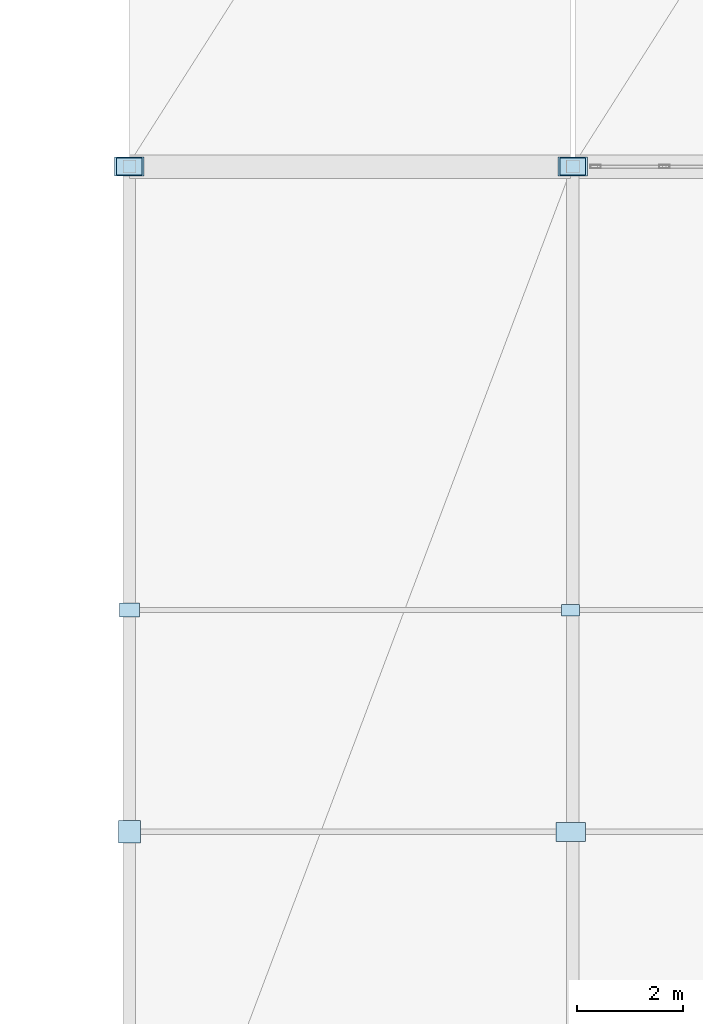
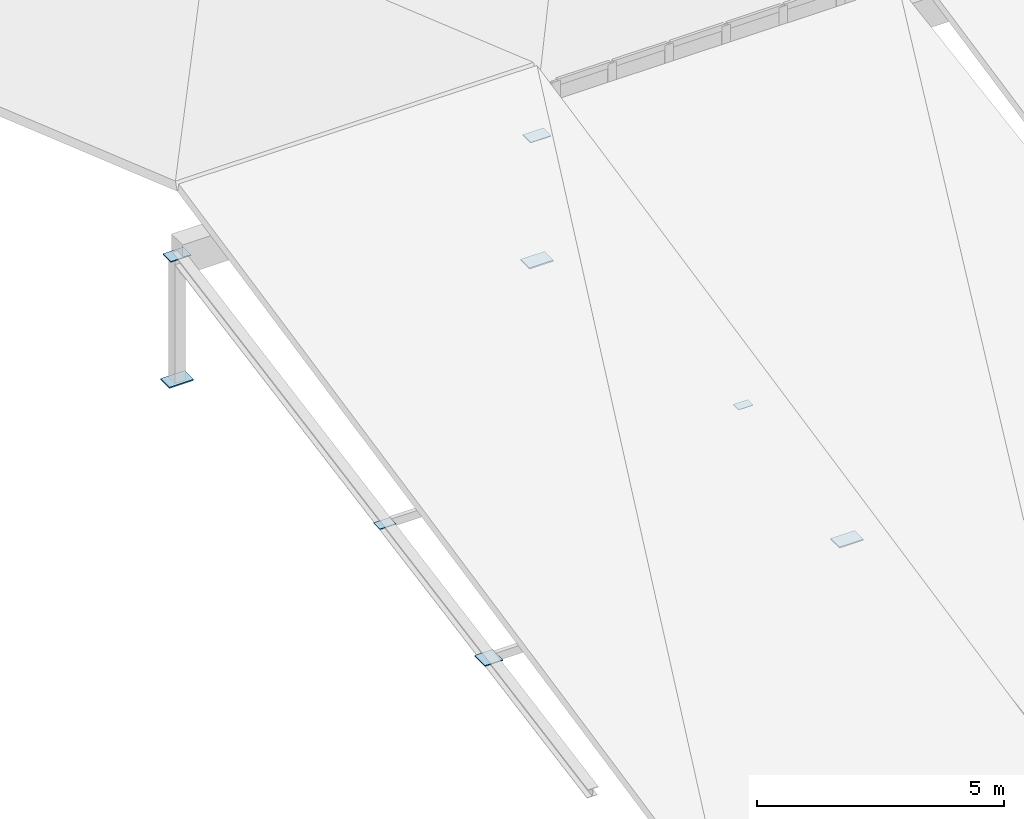
# One storey, part 63 of 76: 8 plates.
"""IFC4 building model written with IfcOpenShell, lengths in metres."""

from ifc_helpers import new_model, si_unit, direction, frame, origin, origin_2d, place, context, subcontext, project, spatial, rectangle, extrude, material, layer, layer_set, type_object, element, save


model = new_model("IFC4")

# Units and contexts
model_context = context("Model", 3, precision=1e-05, world=origin(), true_north=direction((0.0, 1.0)))
body_context = subcontext(model_context, "Body", "Model", "MODEL_VIEW")
ifc_project = project(units=[si_unit("LENGTHUNIT", "METRE"), si_unit("AREAUNIT", "SQUARE_METRE"), si_unit("VOLUMEUNIT", "CUBIC_METRE"), si_unit("PLANEANGLEUNIT", "RADIAN"), si_unit("MASSUNIT", "GRAM", prefix="KILO")], contexts=[model_context])

# Site, building, storey
site_placement = place(None, origin())
site = spatial("IfcSite", under=ifc_project, at=site_placement, CompositionType="ELEMENT")
building_placement = place(site_placement, origin())
building = spatial("IfcBuilding", under=site, at=building_placement, Name="Krzemoval Escarpment Law Courts", CompositionType="ELEMENT")
storey_placement = place(building_placement, frame((0.0, 0.0, 20.39990234375)))
storey = spatial("IfcBuildingStorey", under=building, at=storey_placement, Name="L04", CompositionType="ELEMENT", Elevation=20.39990234375)

# Plates
ifc_material_1 = material(Name="Steel S355", Category="steel")
ifc_layer_1 = layer(ifc_material_1, 0.02392578125)
ifc_layer_set_1 = layer_set([ifc_layer_1], Name="Steel S355")
plate_type_1 = type_object("IfcPlateType", Name="PLT-FLG-24", PredefinedType="USERDEFINED", material=ifc_layer_set_1)
plate_1_placement = place(storey_placement, frame((109.199951171875, 9.60009765625, 0.47802734375), z_axis=(0.0, 0.0, 1.0), x_axis=(1.0, 0.0, 0.0)))
element("IfcPlate", 1, at=plate_1_placement, inside=storey, type_object=plate_type_1, Name="Gusset and End-Cap Plate ECP-0128", ObjectType="FLANGE_PLATE", PredefinedType="USERDEFINED", context=body_context, shape_type="SweptSolid", body=[
    extrude(rectangle(XDim=0.419921875, YDim=0.419921875, at=origin_2d()), origin(), (0.0, 0.0, 1.0), 0.02392578125),
])
ifc_material_2 = material(Name="Steel S355", Category="steel")
ifc_layer_2 = layer(ifc_material_2, 0.011962890625)
ifc_layer_set_2 = layer_set([ifc_layer_2], Name="Steel S355")
plate_type_2 = type_object("IfcPlateType", Name="PLT-GUS-12", PredefinedType="USERDEFINED", material=ifc_layer_set_2)
plate_2_placement = place(storey_placement, frame((117.56005859375, 13.800048828125, 1.25390625), z_axis=(0.0, 0.0, 1.0), x_axis=(1.0, 0.0, 0.0)))
element("IfcPlate", 2, at=plate_2_placement, inside=storey, type_object=plate_type_2, Name="Gusset and End-Cap Plate ECP-0125", ObjectType="GUSSET_PLATE", PredefinedType="USERDEFINED", context=body_context, shape_type="SweptSolid", body=[
    extrude(rectangle(XDim=0.340087890625, YDim=0.219970703125, at=origin_2d()), origin(), (0.0, 0.0, 1.0), 0.011962890625),
])
ifc_material_3 = material(Name="Steel S355", Category="steel")
ifc_layer_3 = layer(ifc_material_3, 0.01611328125)
ifc_layer_set_3 = layer_set([ifc_layer_3], Name="Steel S355")
plate_type_3 = type_object("IfcPlateType", Name="PLT-GUS-16", PredefinedType="USERDEFINED", material=ifc_layer_set_3)
plate_3_placement = place(storey_placement, frame((109.199951171875, 13.800048828125, 1.251953125), z_axis=(0.0, 0.0, 1.0), x_axis=(1.0, 0.0, 0.0)))
element("IfcPlate", 3, at=plate_3_placement, inside=storey, type_object=plate_type_3, Name="Gusset and End-Cap Plate ECP-0124", ObjectType="GUSSET_PLATE", PredefinedType="USERDEFINED", context=body_context, shape_type="SweptSolid", body=[
    extrude(rectangle(XDim=0.3798828125, YDim=0.260009765625, at=origin_2d()), origin(), (0.0, 0.0, 1.0), 0.01611328125),
])
ifc_material_4 = material(Name="Steel S355", Category="steel")
ifc_layer_4 = layer(ifc_material_4, 0.02001953125)
ifc_layer_set_4 = layer_set([ifc_layer_4], Name="Steel S355")
plate_type_4 = type_object("IfcPlateType", Name="PLT-GUS-20", PredefinedType="USERDEFINED", material=ifc_layer_set_4)
for number, where, z_axis, x_axis, name in (
    (4, (109.199951171875, 22.199951171875, 2.7900390625), (0.0, 0.0, 1.0), (1.0, 0.0, 0.0), "Gusset and End-Cap Plate ECP-0117"),
    (5, (117.60009765625, 22.199951171875, 2.7900390625), (0.0, 0.0, 1.0), (1.0, 0.0, 0.0), "Gusset and End-Cap Plate ECP-0119"),
):
    element("IfcPlate", number, at=place(storey_placement, frame(where, z_axis=z_axis, x_axis=x_axis)), inside=storey, type_object=plate_type_4, Name=name, ObjectType="GUSSET_PLATE", PredefinedType="USERDEFINED", context=body_context, shape_type="SweptSolid", body=[
        extrude(rectangle(XDim=0.47998046875, YDim=0.320068359375, at=origin_2d()), origin(), (0.0, 0.0, 1.0), 0.02001953125),
    ])
ifc_material_5 = material(Name="Steel S355", Category="steel")
ifc_layer_5 = layer(ifc_material_5, 0.030029296875)
ifc_layer_set_5 = layer_set([ifc_layer_5], Name="Steel S355")
plate_type_5 = type_object("IfcPlateType", Name="PLT-GUS-30", PredefinedType="USERDEFINED", material=ifc_layer_set_5)
for number, where, z_axis, x_axis, name in (
    (6, (109.199951171875, 22.199951171875, -0.294921875), (0.0, 0.0, 1.0), (1.0, 0.0, 0.0), "Gusset and End-Cap Plate ECP-0116"),
    (7, (117.60009765625, 22.199951171875, -0.294921875), (0.0, 0.0, 1.0), (1.0, 0.0, 0.0), "Gusset and End-Cap Plate ECP-0118"),
    (8, (117.56005859375, 9.60009765625, 0.47509765625), (0.0, 0.0, 1.0), (1.0, 0.0, 0.0), "Gusset and End-Cap Plate ECP-0129"),
):
    element("IfcPlate", number, at=place(storey_placement, frame(where, z_axis=z_axis, x_axis=x_axis)), inside=storey, type_object=plate_type_5, Name=name, ObjectType="GUSSET_PLATE", PredefinedType="USERDEFINED", context=body_context, shape_type="SweptSolid", body=[
        extrude(rectangle(XDim=0.56005859375, YDim=0.360107421875, at=origin_2d()), origin(), (0.0, 0.0, 1.0), 0.030029296875),
    ])

save(model, "model.ifc")
